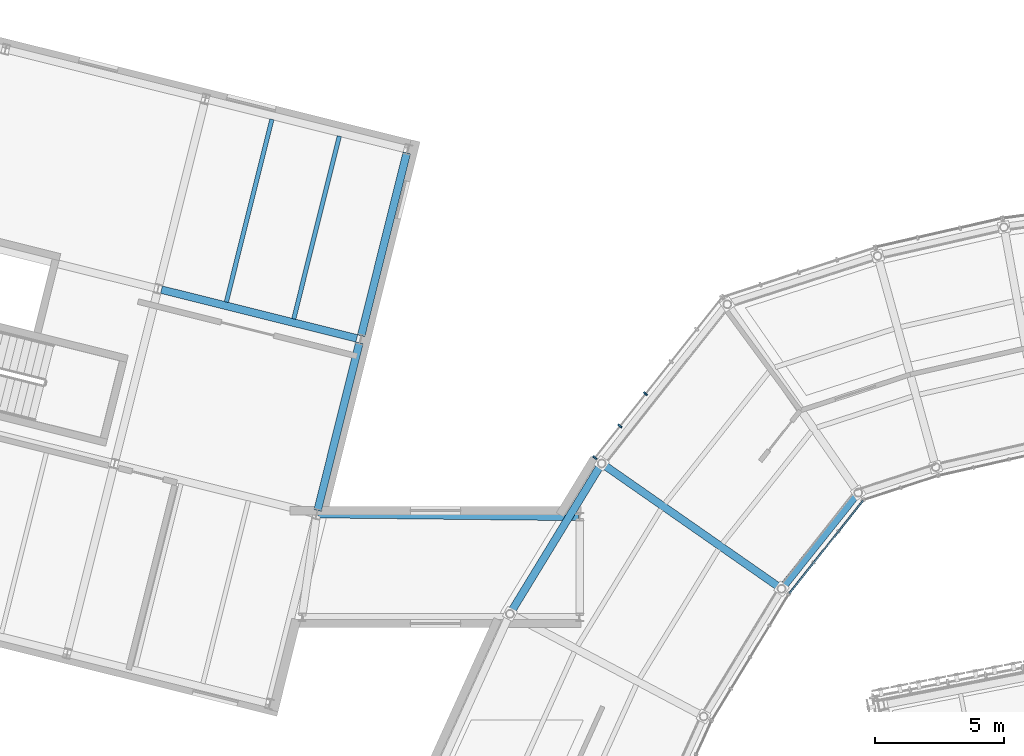
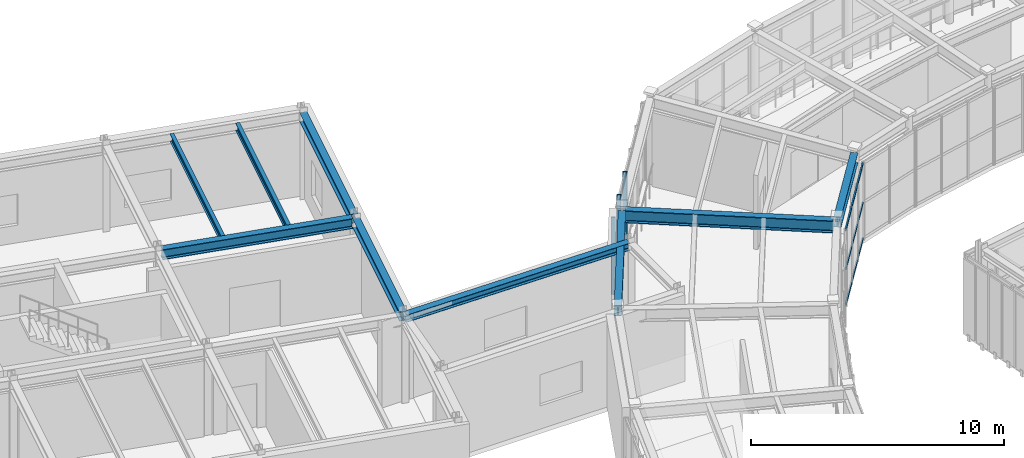
# One storey, part 42 of 103: 9 beams, 6 members, 2 elements without a shape of their own.
"""IFC4 building model written with IfcOpenShell, lengths in metres."""

from ifc_helpers import new_model, si_unit, direction, frame, origin, origin_2d, place, context, subcontext, project, spatial, rectangle, i_section, extrude, material, material_profile, profile_set, type_object, element, aggregate, save


model = new_model("IFC4")

# Units and contexts
model_context = context("Model", 3, precision=1e-05, world=origin(), true_north=direction((0.0, 1.0)))
body_context = subcontext(model_context, "Body", "Model", "MODEL_VIEW")
ifc_project = project(units=[si_unit("LENGTHUNIT", "METRE"), si_unit("AREAUNIT", "SQUARE_METRE"), si_unit("VOLUMEUNIT", "CUBIC_METRE"), si_unit("PLANEANGLEUNIT", "RADIAN"), si_unit("MASSUNIT", "GRAM", prefix="KILO")], contexts=[model_context])

# Site, building, storey
site_placement = place(None, origin())
site = spatial("IfcSite", under=ifc_project, at=site_placement, CompositionType="ELEMENT")
building_placement = place(site_placement, origin())
building = spatial("IfcBuilding", under=site, at=building_placement, Name="Varnklinge Art Gallery", CompositionType="ELEMENT")
storey_placement = place(building_placement, frame((0.0, 0.0, 5.10009765625)))
storey = spatial("IfcBuildingStorey", under=building, at=storey_placement, Name="L01", CompositionType="ELEMENT", Elevation=5.10009765625)

# Beams
ifc_material_1 = material(Name="Steel S355", Category="steel")
ifc_material_profile_1 = material_profile(ifc_material_1, i_section(OverallWidth=0.300048828125, OverallDepth=0.590087890625, WebThickness=0.012939453125, FlangeThickness=0.02490234375, FilletRadius=0.027099609375, at=origin_2d()), Name="HEA 600")
ifc_profile_set_1 = profile_set([ifc_material_profile_1], Name="Steel S355")
beam_type_1 = type_object("IfcBeamType", Name="BM-06", PredefinedType="BEAM", material=ifc_profile_set_1)
beam_1_placement = place(storey_placement, frame((49.96484375, 87.0947265625, 3.885009765625), z_axis=(0.820324852304, -0.571897837635, 0.0), x_axis=(0.571897837635, 0.820324852304, 0.0)))
element("IfcBeam", 1, at=beam_1_placement, inside=storey, type_object=beam_type_1, Name="L01 BM-06 BM-V2-L02-R22", PredefinedType="BEAM", context=body_context, shape_type="SweptSolid", body=[
    extrude(i_section(OverallWidth=0.300048828125, OverallDepth=0.590087890625, WebThickness=0.012939453125, FlangeThickness=0.02490234375, FilletRadius=0.027099609375, at=origin_2d()), origin(), (0.0, 0.0, 1.0), 8.2373046875),
])
ifc_material_2 = material(Name="Steel S355", Category="steel")
ifc_material_profile_2 = material_profile(ifc_material_2, i_section(OverallWidth=0.300048828125, OverallDepth=0.489990234375, WebThickness=0.011962890625, FlangeThickness=0.02294921875, FilletRadius=0.027099609375, at=origin_2d()), Name="HEA 500")
ifc_profile_set_2 = profile_set([ifc_material_profile_2], Name="Steel S355")
beam_type_2 = type_object("IfcBeamType", Name="BM-07", PredefinedType="BEAM", material=ifc_profile_set_2)
beam_2_placement = place(storey_placement, frame((32.744873046875, 93.9267578125, 3.934814453125), z_axis=(0.970296564102, -0.241918535239, 0.0), x_axis=(0.241918535239, 0.970296564102, 0.0)))
element("IfcBeam", 2, at=beam_2_placement, inside=storey, type_object=beam_type_2, Name="L01 BM-07 BM-V5-L02-U2-3", PredefinedType="BEAM", context=body_context, shape_type="SweptSolid", body=[
    extrude(i_section(OverallWidth=0.300048828125, OverallDepth=0.489990234375, WebThickness=0.011962890625, FlangeThickness=0.02294921875, FilletRadius=0.027099609375, at=origin_2d()), origin(), (0.0, 0.0, 1.0), 7.820068359375),
])
ifc_material_3 = material(Name="Steel S355", Category="steel")
ifc_material_profile_3 = material_profile(ifc_material_3, i_section(OverallWidth=0.300048828125, OverallDepth=0.43994140625, WebThickness=0.011474609375, FlangeThickness=0.02099609375, FilletRadius=0.027099609375, at=origin_2d()), Name="HEA 450")
ifc_profile_set_3 = profile_set([ifc_material_profile_3], Name="Steel S355")
beam_type_3 = type_object("IfcBeamType", Name="BM-08", PredefinedType="BEAM", material=ifc_profile_set_3)
beam_3_placement = place(storey_placement, frame((38.808837890625, 85.3447265625, 3.9599609375), z_axis=(0.241920106756, 0.970296172283, 0.0), x_axis=(-0.970296172283, 0.241920106756, 0.0)))
element("IfcBeam", 3, at=beam_3_placement, inside=storey, type_object=beam_type_3, Name="L01 BM-08 BM-V5-L02-V4-1", PredefinedType="BEAM", context=body_context, shape_type="SweptSolid", body=[
    extrude(i_section(OverallWidth=0.300048828125, OverallDepth=0.43994140625, WebThickness=0.011474609375, FlangeThickness=0.02099609375, FilletRadius=0.027099609375, at=origin_2d()), origin(), (0.0, 0.0, 1.0), 6.72021484375),
])
beam_4_placement = place(storey_placement, frame((40.50244140625, 92.136962890625, 3.9599609375), z_axis=(0.241907757102, 0.97029925129, 0.0), x_axis=(-0.97029925129, 0.241907757102, 0.0)))
element("IfcBeam", 4, at=beam_4_placement, inside=storey, type_object=beam_type_3, Name="L01 BM-08 BM-V5-L02-V4-2", PredefinedType="BEAM", context=body_context, shape_type="SweptSolid", body=[
    extrude(i_section(OverallWidth=0.300048828125, OverallDepth=0.43994140625, WebThickness=0.011474609375, FlangeThickness=0.02099609375, FilletRadius=0.027099609375, at=origin_2d()), origin(), (0.0, 0.0, 1.0), 7.320068359375),
])
ifc_material_4 = material(Name="Steel S355", Category="steel")
ifc_material_profile_4 = material_profile(ifc_material_4, i_section(OverallWidth=0.300048828125, OverallDepth=0.35009765625, WebThickness=0.010009765625, FlangeThickness=0.017578125, FilletRadius=0.027099609375, at=origin_2d()), Name="HEA 360")
ifc_profile_set_4 = profile_set([ifc_material_profile_4], Name="Steel S355")
beam_type_4 = type_object("IfcBeamType", Name="BM-10", PredefinedType="BEAM", material=ifc_profile_set_4)
beam_5_placement = place(storey_placement, frame((48.93994140625, 85.1005859375, 4.0048828125), z_axis=(-0.999942985339, 0.010678299094, 0.0), x_axis=(-0.010678299094, -0.999942985339, 0.0)))
element("IfcBeam", 5, at=beam_5_placement, inside=storey, type_object=beam_type_4, Name="L01 BM-10 BM-LNK-V5-ROOF-3", PredefinedType="BEAM", context=body_context, shape_type="SweptSolid", body=[
    extrude(i_section(OverallWidth=0.300048828125, OverallDepth=0.35009765625, WebThickness=0.010009765625, FlangeThickness=0.017578125, FilletRadius=0.027099609375, at=origin_2d()), origin(), (0.0, 0.0, 1.0), 10.10546875),
])
ifc_material_5 = material(Name="Steel S355", Category="steel")
ifc_material_profile_5 = material_profile(ifc_material_5, i_section(OverallWidth=0.169921875, OverallDepth=0.360107421875, WebThickness=0.008056640625, FlangeThickness=0.0126953125, FilletRadius=0.01806640625, at=origin_2d()), Name="IPE 360")
ifc_profile_set_5 = profile_set([ifc_material_profile_5], Name="Steel S355")
beam_type_5 = type_object("IfcBeamType", Name="JST-06", PredefinedType="JOIST", material=ifc_profile_set_5)
for number, where, z_axis, x_axis, name in (
    (6, (35.2626953125, 93.443359375, 4.0), (0.241939157724, 0.970291422182, 0.0), (-0.970291422182, 0.241939157724, 0.0), "L01 JST-06 JST-V5-L02-3-2-1"),
    (7, (37.882568359375, 92.7900390625, 4.0), (0.241907757102, 0.97029925129, 0.0), (-0.97029925129, 0.241907757102, 0.0), "L01 JST-06 JST-V5-L02-3-2-2"),
):
    element("IfcBeam", number, at=place(storey_placement, frame(where, z_axis=z_axis, x_axis=x_axis)), inside=storey, type_object=beam_type_5, Name=name, PredefinedType="JOIST", context=body_context, shape_type="SweptSolid", body=[
        extrude(i_section(OverallWidth=0.169921875, OverallDepth=0.360107421875, WebThickness=0.008056640625, FlangeThickness=0.0126953125, FilletRadius=0.01806640625, at=origin_2d()), origin(), (0.0, 0.0, 1.0), 7.320068359375),
    ])

# Curtain wall, members
ifc_material_6 = material(Name="Anodised Aluminium", Category="aluminium")
curtain_wall_type_1 = type_object("IfcCurtainWallType", Name="CW-R02", PredefinedType="USERDEFINED", material=ifc_material_6)
curtain_wall_1_placement = place(storey_placement, origin())
curtain_wall_1 = element("IfcCurtainWall", 8, at=curtain_wall_1_placement, inside=storey, type_object=curtain_wall_type_1, Name="L01 Curtain Wall CW-V2O-L01-21", ObjectType="UNITISED CURTAIN WALL", PredefinedType="USERDEFINED")
ifc_material_7 = material(Name="Anodised Aluminium", Category="aluminium")
ifc_material_profile_6 = material_profile(ifc_material_7, rectangle(XDim=0.06494140625, YDim=0.179931640625, at=origin_2d()), Name="ALU 65x180")
ifc_profile_set_6 = profile_set([ifc_material_profile_6], Name="Anodised Aluminium")
member_type_1 = type_object("IfcMemberType", Name="MUL-01", PredefinedType="MULLION", material=ifc_profile_set_6)
member_1_placement = place(storey_placement, frame((51.549560546875, 89.8837890625, 0.0), z_axis=(0.0, 0.0, 1.0), x_axis=(-0.620737354217, -0.784018582101, 0.0)))
member_1 = element("IfcMember", 9, at=member_1_placement, type_object=member_type_1, Name="CW-V2O-L01-21 Mullion 4", PredefinedType="MULLION", context=body_context, shape_type="SweptSolid", body=[
    extrude(rectangle(XDim=0.06494140625, YDim=0.179931640625, at=origin_2d()), origin(), (0.0, 0.0, 1.0), 3.72998046875),
])
member_2_placement = place(storey_placement, frame((50.556396484375, 88.62939453125, 0.0), z_axis=(0.0, 0.0, 1.0), x_axis=(-0.620737354217, -0.784018582101, 0.0)))
member_2 = element("IfcMember", 10, at=member_2_placement, type_object=member_type_1, Name="CW-V2O-L01-21 Mullion 5", PredefinedType="MULLION", context=body_context, shape_type="SweptSolid", body=[
    extrude(rectangle(XDim=0.06494140625, YDim=0.179931640625, at=origin_2d()), origin(), (0.0, 0.0, 1.0), 3.72998046875),
])
member_3_placement = place(storey_placement, frame((49.583251953125, 87.400390625, 0.0), z_axis=(0.0, 0.0, 1.0), x_axis=(-0.620737354217, -0.784018582101, 0.0)))
member_3 = element("IfcMember", 11, at=member_3_placement, type_object=member_type_1, Name="CW-V2O-L01-21 Mullion 6", PredefinedType="MULLION", context=body_context, shape_type="SweptSolid", body=[
    extrude(rectangle(XDim=0.06494140625, YDim=0.179931640625, at=origin_2d()), origin(), (0.0, 0.0, 1.0), 3.72998046875),
])
aggregate(curtain_wall_1, [member_1, member_2, member_3])

# Beams
ifc_material_8 = material(Name="Steel S355", Category="steel")
ifc_material_profile_7 = material_profile(ifc_material_8, i_section(OverallWidth=0.300048828125, OverallDepth=0.489990234375, WebThickness=0.011962890625, FlangeThickness=0.02294921875, FilletRadius=0.027099609375, at=origin_2d()), Name="HEA 500")
ifc_profile_set_7 = profile_set([ifc_material_profile_7], Name="Steel S355")
beam_type_6 = type_object("IfcBeamType", Name="SPB-01", PredefinedType="SPANDREL", material=ifc_profile_set_7)
beam_6_placement = place(storey_placement, frame((59.72705078125, 85.931396484375, 3.934814453125), z_axis=(-0.623138348458, -0.782111628018, 0.0), x_axis=(0.782111628018, -0.623138348458, 0.0)))
element("IfcBeam", 12, at=beam_6_placement, inside=storey, type_object=beam_type_6, Name="L01 SPB-01 BM-V2-L02-I21", PredefinedType="SPANDREL", context=body_context, shape_type="SweptSolid", body=[
    extrude(i_section(OverallWidth=0.300048828125, OverallDepth=0.489990234375, WebThickness=0.011962890625, FlangeThickness=0.02294921875, FilletRadius=0.027099609375, at=origin_2d()), origin(), (0.0, 0.0, 1.0), 4.498046875),
])
beam_7_placement = place(storey_placement, frame((49.777099609375, 87.055419921875, 3.934814453125), z_axis=(-0.520911485476, -0.853610698327, 0.0), x_axis=(0.853610698327, -0.520911485476, 0.0)))
element("IfcBeam", 13, at=beam_7_placement, inside=storey, type_object=beam_type_6, Name="L01 SPB-01 BM-V2-L02-O22", PredefinedType="SPANDREL", context=body_context, shape_type="SweptSolid", body=[
    extrude(i_section(OverallWidth=0.300048828125, OverallDepth=0.489990234375, WebThickness=0.011962890625, FlangeThickness=0.02294921875, FilletRadius=0.027099609375, at=origin_2d()), origin(), (0.0, 0.0, 1.0), 6.566162109375),
])

# Curtain wall, members
ifc_material_9 = material(Name="Anodised Aluminium", Category="aluminium")
curtain_wall_type_2 = type_object("IfcCurtainWallType", Name="CW-R04", PredefinedType="USERDEFINED", material=ifc_material_9)
curtain_wall_2_placement = place(storey_placement, origin())
curtain_wall_2 = element("IfcCurtainWall", 14, at=curtain_wall_2_placement, inside=storey, type_object=curtain_wall_type_2, Name="L01 Curtain Wall CW-V2I-L01-21", ObjectType="UNITISED CURTAIN WALL", PredefinedType="USERDEFINED")
ifc_material_10 = material(Name="Anodised Aluminium", Category="aluminium")
ifc_material_profile_8 = material_profile(ifc_material_10, rectangle(XDim=0.06005859375, YDim=0.1201171875, at=origin_2d()), Name="ALU 60x120")
ifc_profile_set_8 = profile_set([ifc_material_profile_8], Name="Anodised Aluminium")
member_type_2 = type_object("IfcMemberType", Name="TRN-02", PredefinedType="USERDEFINED", material=ifc_profile_set_8)
member_4_placement = place(storey_placement, frame((57.142578125, 82.127197265625, 0.059814453125), z_axis=(0.620780504553, 0.783984416405, 0.0), x_axis=(-0.783984416405, 0.620780504553, 0.0)))
member_4 = element("IfcMember", 15, at=member_4_placement, type_object=member_type_2, Name="CW-V2I-L01-21 Transom 1", ObjectType="TRANSOM", PredefinedType="USERDEFINED", context=body_context, shape_type="SweptSolid", body=[
    extrude(rectangle(XDim=0.06005859375, YDim=0.1201171875, at=origin_2d()), origin(), (0.0, 0.0, 1.0), 4.595458984375),
])
member_5_placement = place(storey_placement, frame((57.142578125, 82.127197265625, 1.790283203125), z_axis=(0.620780504553, 0.783984416405, 0.0), x_axis=(-0.783984416405, 0.620780504553, 0.0)))
member_5 = element("IfcMember", 16, at=member_5_placement, type_object=member_type_2, Name="CW-V2I-L01-21 Transom 2", ObjectType="TRANSOM", PredefinedType="USERDEFINED", context=body_context, shape_type="SweptSolid", body=[
    extrude(rectangle(XDim=0.06005859375, YDim=0.1201171875, at=origin_2d()), origin(), (0.0, 0.0, 1.0), 4.595458984375),
])
member_6_placement = place(storey_placement, frame((57.142578125, 82.127197265625, 3.669921875), z_axis=(0.620780504553, 0.783984416405, 0.0), x_axis=(-0.783984416405, 0.620780504553, 0.0)))
member_6 = element("IfcMember", 17, at=member_6_placement, type_object=member_type_2, Name="CW-V2I-L01-21 Transom 3", ObjectType="TRANSOM", PredefinedType="USERDEFINED", context=body_context, shape_type="SweptSolid", body=[
    extrude(rectangle(XDim=0.06005859375, YDim=0.1201171875, at=origin_2d()), origin(), (0.0, 0.0, 1.0), 4.595458984375),
])
aggregate(curtain_wall_2, [member_4, member_5, member_6])

save(model, "model.ifc")
